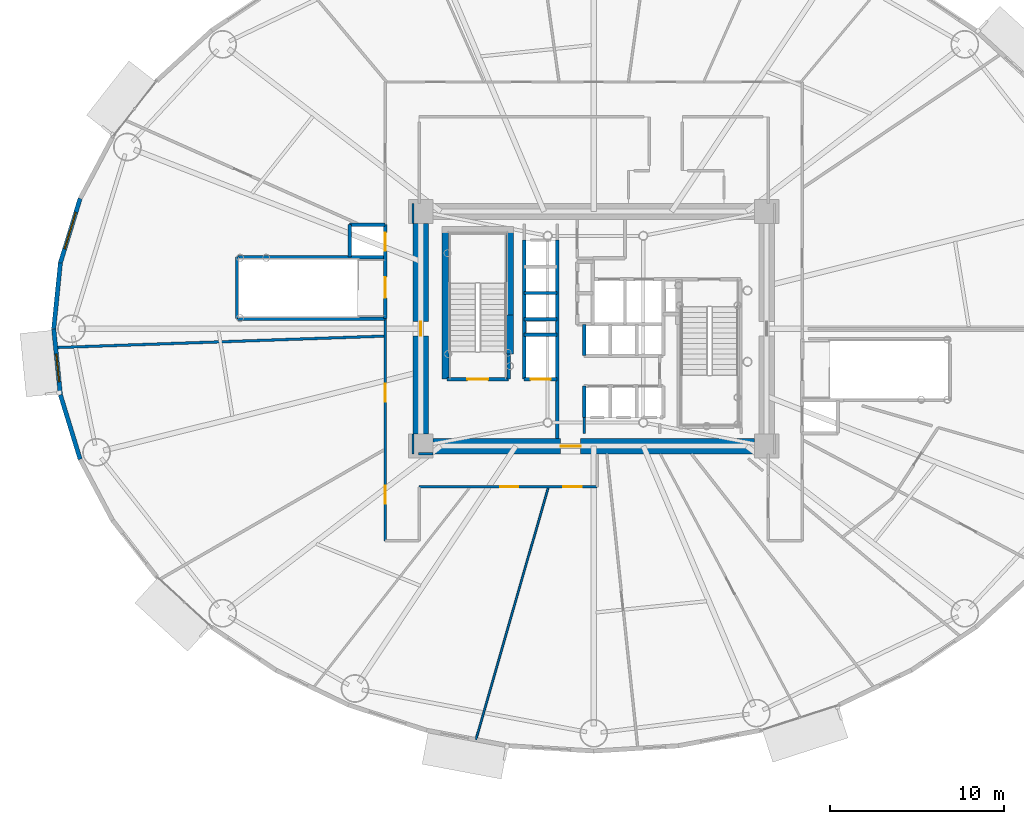
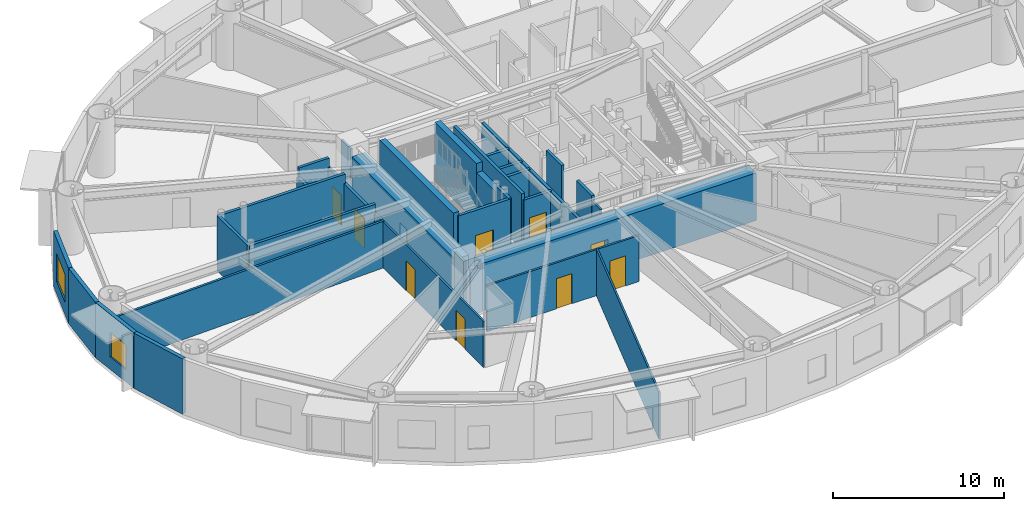
# One storey, part 16 of 28: 33 walls, 10 doors, 2 windows, 12 openings.
"""IFC4 building model written with IfcOpenShell, lengths in metres."""

from ifc_helpers import new_model, si_unit, direction, frame, frame_2d, origin, origin_2d, place, context, subcontext, project, spatial, rectangle, extrude, source, transform, mapped, material, layer, layer_set, type_object, element, fill, save


model = new_model("IFC4")

# Units and contexts
model_context = context("Model", 3, precision=1e-05, world=origin(), true_north=direction((0.0, 1.0)))
body_context = subcontext(model_context, "Body", "Model", "MODEL_VIEW")
ifc_project = project(units=[si_unit("LENGTHUNIT", "METRE"), si_unit("AREAUNIT", "SQUARE_METRE"), si_unit("VOLUMEUNIT", "CUBIC_METRE"), si_unit("PLANEANGLEUNIT", "RADIAN"), si_unit("MASSUNIT", "GRAM", prefix="KILO")], contexts=[model_context])

# Site, building, storey
site_placement = place(None, origin())
site = spatial("IfcSite", under=ifc_project, at=site_placement, CompositionType="ELEMENT")
building_placement = place(site_placement, origin())
building = spatial("IfcBuilding", under=site, at=building_placement, Name="Linh Dai School and Residence Tower", CompositionType="ELEMENT")
storey_placement = place(building_placement, frame((0.0, 0.0, 57.60009765625)))
storey = spatial("IfcBuildingStorey", under=building, at=storey_placement, Name="L13", CompositionType="ELEMENT", Elevation=57.60009765625)

# Wall, opening, window
ifc_material_1 = material(Name="Precast Concrete B45 (C35/45)", Category="concrete")
ifc_layer_1 = layer(ifc_material_1, 0.25)
ifc_layer_set_1 = layer_set([ifc_layer_1], Name="Precast Concrete B45 (C35/45)")
wall_type_1 = type_object("IfcWallType", Name="EW-TC-250", PredefinedType="SOLIDWALL", material=ifc_layer_set_1)
wall_1_placement = place(storey_placement, frame((5.306640625, 30.796875, 0.0), z_axis=(0.0, 0.0, 1.0), x_axis=(0.293111631758, 0.956078224482, 0.0)))
wall_1 = element("IfcWall", 1, at=wall_1_placement, inside=storey, type_object=wall_type_1, Name="L13 Terracotta Exterior Wall 19", PredefinedType="SOLIDWALL", context=body_context, shape_type="SweptSolid", body=[
    extrude(rectangle(XDim=3.874755859375, YDim=0.25, at=frame_2d((1.9375, 0.0))), origin(), (0.0, 0.0, 1.0), 3.949951171875),
])
opening_1_placement = place(wall_1_placement, frame((0.83740234375, 0.0, 0.89990234375)))
opening_1 = element("IfcOpeningElement", 2, at=opening_1_placement, cuts=wall_1, Name="Opening W4", PredefinedType="OPENING", context=body_context, shape_type="SweptSolid", body=[
    extrude(rectangle(XDim=2.199951171875, YDim=2.0, at=origin_2d()), frame((1.10009765625, 0.135009765625, 1.0), z_axis=(0.0, -1.0, 0.0), x_axis=(1.0, 0.0, 0.0)), (0.0, 0.0, 1.0), 0.27001953125),
])
ifc_material_2 = material(Name="Acoustic Laminated Low-E Glazing", Category="glass")
window_type_1 = type_object("IfcWindowType", Name="WN-SCH-2200x2000", PartitioningType="TRIPLE_PANEL_VERTICAL", PredefinedType="WINDOW", material=ifc_material_2)
shared_shape_1 = source(origin(), body_context, "Body", "SweptSolid", [
    extrude(rectangle(XDim=2.199951171875, YDim=2.0, at=origin_2d()), frame((1.10009765625, 0.030029296875, 1.0), z_axis=(0.0, -1.0, 0.0), x_axis=(1.0, 0.0, 0.0)), (0.0, 0.0, 1.0), 0.06005859375),
])
window_1_placement = place(opening_1_placement, origin())
window_1 = element("IfcWindow", 3, at=window_1_placement, inside=storey, type_object=window_type_1, Name="L13 Exterior Window 19.1", OverallHeight=2.0, OverallWidth=2.199951171875, PartitioningType="TRIPLE_PANEL_VERTICAL", PredefinedType="WINDOW", context=body_context, shape_type="MappedRepresentation", body=[
    mapped(shared_shape_1, transform((0.0, 0.0, 0.0), x_axis=(1.0, 0.0, 0.0), y_axis=(0.0, 1.0, 0.0), z_axis=(0.0, 0.0, 1.0), scale=1.0)),
])
fill(opening_1, window_1)

# Wall
wall_2_placement = place(storey_placement, frame((4.925048828125, 27.0, 0.0), z_axis=(0.0, 0.0, 1.0), x_axis=(0.099997795174, 0.994987658698, 0.0)))
element("IfcWall", 4, at=wall_2_placement, inside=storey, type_object=wall_type_1, Name="L13 Terracotta Exterior Wall 20", PredefinedType="SOLIDWALL", context=body_context, shape_type="SweptSolid", body=[
    extrude(rectangle(XDim=3.81591796875, YDim=0.25, at=frame_2d((1.907958984375, 0.0))), origin(), (0.0, 0.0, 1.0), 3.949951171875),
])

# Wall, opening, window
wall_3_placement = place(storey_placement, frame((5.306640625, 23.203125, 0.0), z_axis=(0.0, 0.0, 1.0), x_axis=(-0.099997795174, 0.994987658698, 0.0)))
wall_3 = element("IfcWall", 5, at=wall_3_placement, inside=storey, type_object=wall_type_1, Name="L13 Terracotta Exterior Wall 21", PredefinedType="SOLIDWALL", context=body_context, shape_type="SweptSolid", body=[
    extrude(rectangle(XDim=3.81591796875, YDim=0.25, at=frame_2d((1.907958984375, 0.0))), origin(), (0.0, 0.0, 1.0), 3.949951171875),
])
opening_2_placement = place(wall_3_placement, frame((0.7568359375, 0.0, 0.89990234375)))
opening_2 = element("IfcOpeningElement", 6, at=opening_2_placement, cuts=wall_3, Name="Opening W2", PredefinedType="OPENING", context=body_context, shape_type="SweptSolid", body=[
    extrude(rectangle(XDim=1.60009765625, YDim=1.75, at=origin_2d()), frame((0.800048828125, 0.135009765625, 0.875), z_axis=(0.0, -1.0, 0.0), x_axis=(1.0, 0.0, 0.0)), (0.0, 0.0, 1.0), 0.27001953125),
])
ifc_material_3 = material(Name="Double Low-E Insulated Glazing", Category="glass")
window_type_2 = type_object("IfcWindowType", Name="WN-RES-1600x1750", PartitioningType="DOUBLE_PANEL_VERTICAL", PredefinedType="WINDOW", material=ifc_material_3)
shared_shape_2 = source(origin(), body_context, "Body", "SweptSolid", [
    extrude(rectangle(XDim=1.60009765625, YDim=1.75, at=origin_2d()), frame((0.800048828125, 0.030029296875, 0.875), z_axis=(0.0, -1.0, 0.0), x_axis=(1.0, 0.0, 0.0)), (0.0, 0.0, 1.0), 0.06005859375),
])
window_2_placement = place(opening_2_placement, origin())
window_2 = element("IfcWindow", 7, at=window_2_placement, inside=storey, type_object=window_type_2, Name="L13 Exterior Window 21.1", OverallHeight=1.75, OverallWidth=1.60009765625, PartitioningType="DOUBLE_PANEL_VERTICAL", PredefinedType="WINDOW", context=body_context, shape_type="MappedRepresentation", body=[
    mapped(shared_shape_2, transform((0.0, 0.0, 0.0), x_axis=(1.0, 0.0, 0.0), y_axis=(0.0, 1.0, 0.0), z_axis=(0.0, 0.0, 1.0), scale=1.0)),
])
fill(opening_2, window_2)

# Wall
wall_4_placement = place(storey_placement, frame((6.4423828125, 19.49853515625, 0.0), z_axis=(0.0, 0.0, 1.0), x_axis=(-0.293111631758, 0.956078224482, 0.0)))
element("IfcWall", 8, at=wall_4_placement, inside=storey, type_object=wall_type_1, Name="L13 Terracotta Exterior Wall 22", PredefinedType="SOLIDWALL", context=body_context, shape_type="SweptSolid", body=[
    extrude(rectangle(XDim=3.874755859375, YDim=0.25, at=frame_2d((1.9375, 0.0))), origin(), (0.0, 0.0, 1.0), 3.949951171875),
])

# Wall, openings, doors
ifc_material_4 = material(Name="Autoclaved Aerated Concrete Blockwork", Category="masonry")
ifc_layer_2 = layer(ifc_material_4, 0.135009765625)
ifc_layer_set_2 = layer_set([ifc_layer_2], Name="Autoclaved Aerated Concrete Blockwork")
wall_type_2 = type_object("IfcWallType", Name="IW-CORR-135-EI90", PredefinedType="PARTITIONING", material=ifc_layer_set_2)
wall_5_placement = place(storey_placement, frame((24.0, 14.800048828125, 0.0), z_axis=(0.0, 0.0, 1.0), x_axis=(0.0, 1.0, 0.0)))
wall_5 = element("IfcWall", 9, at=wall_5_placement, inside=storey, type_object=wall_type_2, Name="L13 Interior Partition Wall 011", PredefinedType="PARTITIONING", context=body_context, shape_type="SweptSolid", body=[
    extrude(rectangle(XDim=12.780029296875, YDim=0.135009765625, at=frame_2d((6.39013671875, 0.0))), origin(), (0.0, 0.0, 1.0), 3.284912109375),
])
opening_3_placement = place(wall_5_placement, frame((8.00146484375, 0.0, 0.0)))
opening_3 = element("IfcOpeningElement", 10, at=opening_3_placement, cuts=wall_5, Name="Opening D04", PredefinedType="OPENING", context=body_context, shape_type="SweptSolid", body=[
    extrude(rectangle(XDim=1.050048828125, YDim=2.14990234375, at=origin_2d()), frame((0.52490234375, 0.07763671875, 1.074951171875), z_axis=(0.0, -1.0, 0.0), x_axis=(1.0, 0.0, 0.0)), (0.0, 0.0, 1.0), 0.155029296875),
])
opening_4_placement = place(wall_5_placement, frame((2.130859375, 0.0, 0.0)))
opening_4 = element("IfcOpeningElement", 11, at=opening_4_placement, cuts=wall_5, Name="Opening D04", PredefinedType="OPENING", context=body_context, shape_type="SweptSolid", body=[
    extrude(rectangle(XDim=1.050048828125, YDim=2.14990234375, at=origin_2d()), frame((0.52490234375, 0.07763671875, 1.074951171875), z_axis=(0.0, -1.0, 0.0), x_axis=(1.0, 0.0, 0.0)), (0.0, 0.0, 1.0), 0.155029296875),
])
ifc_material_5 = material(Name="Acoustic Vision-Panel Timber Classroom Door", Category="wood")
door_type_1 = type_object("IfcDoorType", Name="DR-SCH-1050x2150-FD60S", OperationType="NOTDEFINED", PredefinedType="DOOR", material=ifc_material_5)
shared_shape_3 = source(origin(), body_context, "Body", "SweptSolid", [
    extrude(rectangle(XDim=1.050048828125, YDim=2.14990234375, at=origin_2d()), frame((0.52490234375, 0.02490234375, 1.074951171875), z_axis=(0.0, -1.0, 0.0), x_axis=(1.0, 0.0, 0.0)), (0.0, 0.0, 1.0), 0.050048828125),
])
door_1_placement = place(opening_3_placement, origin())
door_1 = element("IfcDoor", 12, at=door_1_placement, inside=storey, type_object=door_type_1, Name="L13 Advanced Biochemistry Lab Door", OperationType="SINGLE_SWING_LEFT", OverallHeight=2.14990234375, OverallWidth=1.050048828125, PredefinedType="DOOR", context=body_context, shape_type="MappedRepresentation", body=[
    mapped(shared_shape_3, transform((0.0, 0.0, 0.0), x_axis=(1.0, 0.0, 0.0), y_axis=(0.0, 1.0, 0.0), z_axis=(0.0, 0.0, 1.0), scale=1.0)),
])
fill(opening_3, door_1)
door_2_placement = place(opening_4_placement, origin())
door_2 = element("IfcDoor", 13, at=door_2_placement, inside=storey, type_object=door_type_1, Name="L13 Upper Sixth Classroom 1 Door", OperationType="SINGLE_SWING_RIGHT", OverallHeight=2.14990234375, OverallWidth=1.050048828125, PredefinedType="DOOR", context=body_context, shape_type="MappedRepresentation", body=[
    mapped(shared_shape_3, transform((0.0, 0.0, 0.0), x_axis=(1.0, 0.0, 0.0), y_axis=(0.0, 1.0, 0.0), z_axis=(0.0, 0.0, 1.0), scale=1.0)),
])
fill(opening_4, door_2)

wall_6_placement = place(storey_placement, frame((25.949951171875, 17.89990234375, 0.0), z_axis=(0.0, 0.0, 1.0), x_axis=(1.0, 0.0, 0.0)))
wall_6 = element("IfcWall", 14, at=wall_6_placement, inside=storey, type_object=wall_type_2, Name="L13 Interior Partition Wall 018", PredefinedType="PARTITIONING", context=body_context, shape_type="SweptSolid", body=[
    extrude(rectangle(XDim=10.25, YDim=0.135009765625, at=frame_2d((5.125, 0.0))), origin(), (0.0, 0.0, 1.0), 3.284912109375),
])
opening_5_placement = place(wall_6_placement, frame((4.66552734375, 0.0, 0.0)))
opening_5 = element("IfcOpeningElement", 15, at=opening_5_placement, cuts=wall_6, Name="Opening D04", PredefinedType="OPENING", context=body_context, shape_type="SweptSolid", body=[
    extrude(rectangle(XDim=1.050048828125, YDim=2.14990234375, at=origin_2d()), frame((0.52490234375, 0.07763671875, 1.074951171875), z_axis=(0.0, -1.0, 0.0), x_axis=(1.0, 0.0, 0.0)), (0.0, 0.0, 1.0), 0.155029296875),
])
opening_6_placement = place(wall_6_placement, frame((8.30029296875, 0.0, 0.0)))
opening_6 = element("IfcOpeningElement", 16, at=opening_6_placement, cuts=wall_6, Name="Opening D04", PredefinedType="OPENING", context=body_context, shape_type="SweptSolid", body=[
    extrude(rectangle(XDim=1.050048828125, YDim=2.14990234375, at=origin_2d()), frame((0.52490234375, 0.07763671875, 1.074951171875), z_axis=(0.0, -1.0, 0.0), x_axis=(1.0, 0.0, 0.0)), (0.0, 0.0, 1.0), 0.155029296875),
])
door_3_placement = place(opening_5_placement, origin())
door_3 = element("IfcDoor", 17, at=door_3_placement, inside=storey, type_object=door_type_1, Name="L13 Upper Sixth Classroom 2 Door", OperationType="SINGLE_SWING_LEFT", OverallHeight=2.14990234375, OverallWidth=1.050048828125, PredefinedType="DOOR", context=body_context, shape_type="MappedRepresentation", body=[
    mapped(shared_shape_3, transform((0.0, 0.0, 0.0), x_axis=(1.0, 0.0, 0.0), y_axis=(0.0, 1.0, 0.0), z_axis=(0.0, 0.0, 1.0), scale=1.0)),
])
fill(opening_5, door_3)
door_4_placement = place(opening_6_placement, origin())
door_4 = element("IfcDoor", 18, at=door_4_placement, inside=storey, type_object=door_type_1, Name="L13 Upper Sixth Classroom 3 Door", OperationType="SINGLE_SWING_RIGHT", OverallHeight=2.14990234375, OverallWidth=1.050048828125, PredefinedType="DOOR", context=body_context, shape_type="MappedRepresentation", body=[
    mapped(shared_shape_3, transform((0.0, 0.0, 0.0), x_axis=(1.0, 0.0, 0.0), y_axis=(0.0, 1.0, 0.0), z_axis=(0.0, 0.0, 1.0), scale=1.0)),
])
fill(opening_6, door_4)

# Walls
wall_7_placement = place(storey_placement, frame((35.449951171875, 21.889892578125, 0.0), z_axis=(0.0, 0.0, 1.0), x_axis=(0.0, -1.0, 0.0)))
element("IfcWall", 19, at=wall_7_placement, inside=storey, type_object=wall_type_2, Name="L13 Interior Partition Wall 085", PredefinedType="PARTITIONING", context=body_context, shape_type="SweptSolid", body=[
    extrude(rectangle(XDim=0.929931640625, YDim=0.135009765625, at=frame_2d((0.46484375, 0.0))), origin(), (0.0, 0.0, 1.0), 3.534912109375),
])
for number, where, z_axis, x_axis, name in (
    (20, (25.60009765625, 34.199951171875, 0.0), (0.0, 0.0, 1.0), (0.0, -1.0, 0.0), "L13 Interior Partition Wall 104"),
    (21, (25.60009765625, 20.93994140625, 0.0), (0.0, 0.0, 1.0), (0.0, -1.0, 0.0), "L13 Interior Partition Wall 105"),
):
    element("IfcWall", number, at=place(storey_placement, frame(where, z_axis=z_axis, x_axis=x_axis)), inside=storey, type_object=wall_type_2, Name=name, PredefinedType="PARTITIONING", context=body_context, shape_type="SweptSolid", body=[
        extrude(rectangle(XDim=1.139892578125, YDim=0.135009765625, at=frame_2d((0.56982421875, 0.0))), origin(), (0.0, 0.0, 1.0), 3.949951171875),
    ])
wall_8_placement = place(storey_placement, frame((25.907470703125, 19.800048828125, 0.0), z_axis=(0.0, 0.0, 1.0), x_axis=(1.0, 0.0, 0.0)))
element("IfcWall", 22, at=wall_8_placement, inside=storey, type_object=wall_type_2, Name="L13 Interior Partition Wall 106", PredefinedType="PARTITIONING", context=body_context, shape_type="SweptSolid", body=[
    extrude(rectangle(XDim=0.83251953125, YDim=0.135009765625, at=frame_2d((0.416259765625, 0.0))), origin(), (0.0, 0.0, 1.0), 3.284912109375),
])
ifc_material_6 = material(Name="Acoustic Operable Timber Panel Partition", Category="wood")
ifc_layer_3 = layer(ifc_material_6, 0.110107421875)
ifc_layer_set_3 = layer_set([ifc_layer_3], Name="Acoustic Operable Timber Panel Partition")
wall_type_3 = type_object("IfcWallType", Name="IW-MOV-110", PredefinedType="MOVABLE", material=ifc_layer_set_3)
wall_9_placement = place(storey_placement, frame((29.218505859375, 3.349853515625, 0.0), z_axis=(0.0, 0.0, 1.0), x_axis=(0.275634900318, 0.961262400038, 0.0)))
element("IfcWall", 23, at=wall_9_placement, inside=storey, type_object=wall_type_3, Name="L13 Interior Partition Wall 020", PredefinedType="MOVABLE", context=body_context, shape_type="SweptSolid", body=[
    extrude(rectangle(XDim=15.136474609375, YDim=0.110107421875, at=frame_2d((7.568359375, 0.0))), origin(), (0.0, 0.0, 1.0), 3.3349609375),
])
ifc_layer_4 = layer(ifc_material_4, 0.14990234375)
ifc_layer_set_4 = layer_set([ifc_layer_4], Name="Autoclaved Aerated Concrete Blockwork")
wall_type_4 = type_object("IfcWallType", Name="IW-SCH-150-EI60", PredefinedType="PARTITIONING", material=ifc_layer_set_4)
wall_10_placement = place(storey_placement, frame((5.02880859375, 25.91845703125, 0.0), z_axis=(0.0, 0.0, 1.0), x_axis=(0.99939062663, 0.034905234611, 0.0)))
element("IfcWall", 24, at=wall_10_placement, inside=storey, type_object=wall_type_4, Name="L13 Interior Partition Wall 001", PredefinedType="PARTITIONING", context=body_context, shape_type="SweptSolid", body=[
    extrude(rectangle(XDim=18.982666015625, YDim=0.14990234375, at=frame_2d((9.4912109375, 0.0))), origin(), (0.0, 0.0, 1.0), 3.3349609375),
])
ifc_material_7 = material(Name="Concrete B45 (C35/45)", Category="concrete")
ifc_layer_5 = layer(ifc_material_7, 0.199951171875)
ifc_layer_set_5 = layer_set([ifc_layer_5], Name="Concrete B45 (C35/45)")
wall_type_5 = type_object("IfcWallType", Name="IW-SHAFT-200-EI120", PredefinedType="PARTITIONING", material=ifc_layer_set_5)
wall_11_placement = place(storey_placement, frame((15.47998046875, 27.580078125, 0.0), z_axis=(0.0, 0.0, 1.0), x_axis=(0.0, 1.0, 0.0)))
element("IfcWall", 25, at=wall_11_placement, inside=storey, type_object=wall_type_5, Name="L13 Interior Partition Wall 004", PredefinedType="PARTITIONING", context=body_context, shape_type="SweptSolid", body=[
    extrude(rectangle(XDim=3.5400390625, YDim=0.199951171875, at=frame_2d((1.77001953125, 0.0))), origin(), (0.0, 0.0, 1.0), 3.949951171875),
])
for number, where, z_axis, x_axis, name in (
    (26, (15.47998046875, 27.580078125, 0.0), (0.0, 0.0, 1.0), (1.0, 0.0, 0.0), "L13 Interior Partition Wall 005"),
    (27, (15.47998046875, 31.1201171875, 0.0), (0.0, 0.0, 1.0), (1.0, 0.0, 0.0), "L13 Interior Partition Wall 006"),
):
    element("IfcWall", number, at=place(storey_placement, frame(where, z_axis=z_axis, x_axis=x_axis)), inside=storey, type_object=wall_type_5, Name=name, PredefinedType="PARTITIONING", context=body_context, shape_type="SweptSolid", body=[
        extrude(rectangle(XDim=8.52001953125, YDim=0.199951171875, at=frame_2d((4.260009765625, 0.0))), origin(), (0.0, 0.0, 1.0), 3.949951171875),
    ])
wall_12_placement = place(storey_placement, frame((21.949951171875, 31.1201171875, 0.0), z_axis=(0.0, 0.0, 1.0), x_axis=(0.0, 1.0, 0.0)))
element("IfcWall", 28, at=wall_12_placement, inside=storey, type_object=wall_type_5, Name="L13 Interior Partition Wall 009", PredefinedType="PARTITIONING", context=body_context, shape_type="SweptSolid", body=[
    extrude(rectangle(XDim=1.8798828125, YDim=0.199951171875, at=frame_2d((0.93994140625, 0.0))), origin(), (0.0, 0.0, 1.0), 3.284912109375),
])
wall_13_placement = place(storey_placement, frame((21.949951171875, 33.0, 0.0), z_axis=(0.0, 0.0, 1.0), x_axis=(1.0, 0.0, 0.0)))
element("IfcWall", 29, at=wall_13_placement, inside=storey, type_object=wall_type_5, Name="L13 Interior Partition Wall 010", PredefinedType="PARTITIONING", context=body_context, shape_type="SweptSolid", body=[
    extrude(rectangle(XDim=2.050048828125, YDim=0.199951171875, at=frame_2d((1.02490234375, 0.0))), origin(), (0.0, 0.0, 1.0), 3.949951171875),
])

# Wall, openings, doors
wall_14_placement = place(storey_placement, frame((24.0, 27.590087890625, 0.0), z_axis=(0.0, 0.0, 1.0), x_axis=(0.0, 1.0, 0.0)))
wall_14 = element("IfcWall", 30, at=wall_14_placement, inside=storey, type_object=wall_type_5, Name="L13 Interior Partition Wall 013", PredefinedType="PARTITIONING", context=body_context, shape_type="SweptSolid", body=[
    extrude(rectangle(XDim=5.409912109375, YDim=0.199951171875, at=frame_2d((2.705078125, 0.0))), origin(), (0.0, 0.0, 1.0), 3.284912109375),
])
opening_7_placement = place(wall_14_placement, frame((1.18505859375, 0.0, 0.0)))
opening_7 = element("IfcOpeningElement", 31, at=opening_7_placement, cuts=wall_14, Name="Opening D01", PredefinedType="OPENING", context=body_context, shape_type="SweptSolid", body=[
    extrude(rectangle(XDim=1.199951171875, YDim=2.14990234375, at=origin_2d()), frame((0.60009765625, 0.10986328125, 1.074951171875), z_axis=(0.0, -1.0, 0.0), x_axis=(1.0, 0.0, 0.0)), (0.0, 0.0, 1.0), 0.219970703125),
])
opening_8_placement = place(wall_14_placement, frame((3.889892578125, 0.0, 0.0)))
opening_8 = element("IfcOpeningElement", 32, at=opening_8_placement, cuts=wall_14, Name="Opening LD-SL1", PredefinedType="OPENING", context=body_context, shape_type="SweptSolid", body=[
    extrude(rectangle(XDim=1.050048828125, YDim=2.14990234375, at=origin_2d()), frame((0.52490234375, 0.10986328125, 1.074951171875), z_axis=(0.0, -1.0, 0.0), x_axis=(1.0, 0.0, 0.0)), (0.0, 0.0, 1.0), 0.219970703125),
])
ifc_material_8 = material(Name="Fire-Rated Steel Door Leaf", Category="steel")
door_type_2 = type_object("IfcDoorType", Name="DR-STAIR-1200x2150-FD90S", OperationType="NOTDEFINED", PredefinedType="DOOR", material=ifc_material_8)
shared_shape_4 = source(origin(), body_context, "Body", "SweptSolid", [
    extrude(rectangle(XDim=1.199951171875, YDim=2.14990234375, at=origin_2d()), frame((0.60009765625, 0.02490234375, 1.074951171875), z_axis=(0.0, -1.0, 0.0), x_axis=(1.0, 0.0, 0.0)), (0.0, 0.0, 1.0), 0.050048828125),
])
door_5_placement = place(opening_7_placement, origin())
door_5 = element("IfcDoor", 33, at=door_5_placement, inside=storey, type_object=door_type_2, Name="L13 Exit Stair STS1 Door", OperationType="SINGLE_SWING_RIGHT", OverallHeight=2.14990234375, OverallWidth=1.199951171875, PredefinedType="DOOR", context=body_context, shape_type="MappedRepresentation", body=[
    mapped(shared_shape_4, transform((0.0, 0.0, 0.0), x_axis=(1.0, 0.0, 0.0), y_axis=(0.0, 1.0, 0.0), z_axis=(0.0, 0.0, 1.0), scale=1.0)),
])
fill(opening_7, door_5)
ifc_material_9 = material(Name="Brushed Stainless Steel Lift Landing Door", Category="steel")
door_type_3 = type_object("IfcDoorType", Name="DR-LD-PASS-1050x2150", OperationType="DOUBLE_DOOR_SLIDING", PredefinedType="USERDEFINED", material=ifc_material_9)
shared_shape_5 = source(origin(), body_context, "Body", "SweptSolid", [
    extrude(rectangle(XDim=1.050048828125, YDim=2.14990234375, at=origin_2d()), frame((0.52490234375, 0.02490234375, 1.074951171875), z_axis=(0.0, -1.0, 0.0), x_axis=(1.0, 0.0, 0.0)), (0.0, 0.0, 1.0), 0.050048828125),
])
door_6_placement = place(opening_8_placement, origin())
door_6 = element("IfcDoor", 34, at=door_6_placement, inside=storey, type_object=door_type_3, Name="L13 Lift SL1 Sliding Landing Door", ObjectType="LANDING DOOR", OperationType="DOUBLE_DOOR_SLIDING", OverallHeight=2.14990234375, OverallWidth=1.050048828125, PredefinedType="USERDEFINED", context=body_context, shape_type="MappedRepresentation", body=[
    mapped(shared_shape_5, transform((0.0, 0.0, 0.0), x_axis=(1.0, 0.0, 0.0), y_axis=(0.0, 1.0, 0.0), z_axis=(0.0, 0.0, 1.0), scale=1.0)),
])
fill(opening_8, door_6)

# Wall, opening, door
wall_15_placement = place(storey_placement, frame((27.56005859375, 24.10009765625, 0.0), z_axis=(0.0, 0.0, 1.0), x_axis=(1.0, 0.0, 0.0)))
wall_15 = element("IfcWall", 35, at=wall_15_placement, inside=storey, type_object=wall_type_5, Name="L13 Interior Partition Wall 019", PredefinedType="PARTITIONING", context=body_context, shape_type="SweptSolid", body=[
    extrude(rectangle(XDim=3.5400390625, YDim=0.199951171875, at=frame_2d((1.77001953125, 0.0))), origin(), (0.0, 0.0, 1.0), 3.949951171875),
])
opening_9_placement = place(wall_15_placement, frame((1.169921875, 0.0, 0.0)))
opening_9 = element("IfcOpeningElement", 36, at=opening_9_placement, cuts=wall_15, Name="Opening D01", PredefinedType="OPENING", context=body_context, shape_type="SweptSolid", body=[
    extrude(rectangle(XDim=1.199951171875, YDim=2.14990234375, at=origin_2d()), frame((0.60009765625, 0.10986328125, 1.074951171875), z_axis=(0.0, -1.0, 0.0), x_axis=(1.0, 0.0, 0.0)), (0.0, 0.0, 1.0), 0.219970703125),
])
door_7_placement = place(opening_9_placement, origin())
door_7 = element("IfcDoor", 37, at=door_7_placement, inside=storey, type_object=door_type_2, Name="L13 Core Smokeproof Exit Stair ST1 Door", OperationType="SINGLE_SWING_RIGHT", OverallHeight=2.14990234375, OverallWidth=1.199951171875, PredefinedType="DOOR", context=body_context, shape_type="MappedRepresentation", body=[
    mapped(shared_shape_4, transform((0.0, 0.0, 0.0), x_axis=(1.0, 0.0, 0.0), y_axis=(0.0, 1.0, 0.0), z_axis=(0.0, 0.0, 1.0), scale=1.0)),
])
fill(opening_9, door_7)

# Walls
wall_16_placement = place(storey_placement, frame((31.10009765625, 24.10009765625, 0.0), z_axis=(0.0, 0.0, 1.0), x_axis=(0.0, 1.0, 0.0)))
element("IfcWall", 38, at=wall_16_placement, inside=storey, type_object=wall_type_5, Name="L13 Interior Partition Wall 021", PredefinedType="PARTITIONING", context=body_context, shape_type="SweptSolid", body=[
    extrude(rectangle(XDim=1.43994140625, YDim=0.199951171875, at=frame_2d((0.719970703125, 0.0))), origin(), (0.0, 0.0, 1.0), 3.949951171875),
])
wall_17_placement = place(storey_placement, frame((32.0, 24.10009765625, 0.0), z_axis=(0.0, 0.0, 1.0), x_axis=(0.0, 1.0, 0.0)))
element("IfcWall", 39, at=wall_17_placement, inside=storey, type_object=wall_type_5, Name="L13 Interior Partition Wall 022", PredefinedType="PARTITIONING", context=body_context, shape_type="SweptSolid", body=[
    extrude(rectangle(XDim=8.0, YDim=0.199951171875, at=frame_2d((4.0, 0.0))), origin(), (0.0, 0.0, 1.0), 3.949951171875),
])

# Wall, opening, door
wall_18_placement = place(storey_placement, frame((32.0, 24.10009765625, 0.0), z_axis=(0.0, 0.0, 1.0), x_axis=(1.0, 0.0, 0.0)))
wall_18 = element("IfcWall", 40, at=wall_18_placement, inside=storey, type_object=wall_type_5, Name="L13 Interior Partition Wall 023", PredefinedType="PARTITIONING", context=body_context, shape_type="SweptSolid", body=[
    extrude(rectangle(XDim=1.89990234375, YDim=0.199951171875, at=frame_2d((0.949951171875, 0.0))), origin(), (0.0, 0.0, 1.0), 3.534912109375),
])
opening_10_placement = place(wall_18_placement, frame((0.375, 0.0, 0.0)))
opening_10 = element("IfcOpeningElement", 41, at=opening_10_placement, cuts=wall_18, Name="Opening LD-FF2", PredefinedType="OPENING", context=body_context, shape_type="SweptSolid", body=[
    extrude(rectangle(XDim=1.14990234375, YDim=2.14990234375, at=origin_2d()), frame((0.574951171875, 0.10986328125, 1.074951171875), z_axis=(0.0, -1.0, 0.0), x_axis=(1.0, 0.0, 0.0)), (0.0, 0.0, 1.0), 0.219970703125),
])
ifc_material_10 = material(Name="Fire-Rated Stainless Steel Firefighting Lift Door", Category="steel")
door_type_4 = type_object("IfcDoorType", Name="DR-LD-FF-1150x2150-FD120", OperationType="DOUBLE_DOOR_SLIDING", PredefinedType="USERDEFINED", material=ifc_material_10)
shared_shape_6 = source(origin(), body_context, "Body", "SweptSolid", [
    extrude(rectangle(XDim=1.14990234375, YDim=2.14990234375, at=origin_2d()), frame((0.574951171875, 0.02490234375, 1.074951171875), z_axis=(0.0, -1.0, 0.0), x_axis=(1.0, 0.0, 0.0)), (0.0, 0.0, 1.0), 0.050048828125),
])
door_8_placement = place(opening_10_placement, origin())
door_8 = element("IfcDoor", 42, at=door_8_placement, inside=storey, type_object=door_type_4, Name="L13 Lift FF2 Sliding Landing Door", ObjectType="LANDING DOOR", OperationType="DOUBLE_DOOR_SLIDING", OverallHeight=2.14990234375, OverallWidth=1.14990234375, PredefinedType="USERDEFINED", context=body_context, shape_type="MappedRepresentation", body=[
    mapped(shared_shape_6, transform((0.0, 0.0, 0.0), x_axis=(1.0, 0.0, 0.0), y_axis=(0.0, 1.0, 0.0), z_axis=(0.0, 0.0, 1.0), scale=1.0)),
])
fill(opening_10, door_8)

# Walls
for number, where, z_axis, x_axis, name in (
    (43, (32.0, 26.64990234375, 0.0), (0.0, 0.0, 1.0), (1.0, 0.0, 0.0), "L13 Interior Partition Wall 024"),
    (44, (32.0, 27.550048828125, 0.0), (0.0, 0.0, 1.0), (1.0, 0.0, 0.0), "L13 Interior Partition Wall 025"),
    (45, (32.0, 29.06005859375, 0.0), (0.0, 0.0, 1.0), (1.0, 0.0, 0.0), "L13 Interior Partition Wall 026"),
):
    element("IfcWall", number, at=place(storey_placement, frame(where, z_axis=z_axis, x_axis=x_axis)), inside=storey, type_object=wall_type_5, Name=name, PredefinedType="PARTITIONING", context=body_context, shape_type="SweptSolid", body=[
        extrude(rectangle(XDim=1.89990234375, YDim=0.199951171875, at=frame_2d((0.949951171875, 0.0))), origin(), (0.0, 0.0, 1.0), 3.534912109375),
    ])
wall_19_placement = place(storey_placement, frame((33.89990234375, 20.699951171875, 0.0), z_axis=(0.0, 0.0, 1.0), x_axis=(0.0, 1.0, 0.0)))
element("IfcWall", 46, at=wall_19_placement, inside=storey, type_object=wall_type_5, Name="L13 Interior Partition Wall 029", PredefinedType="PARTITIONING", context=body_context, shape_type="SweptSolid", body=[
    extrude(rectangle(XDim=11.400146484375, YDim=0.199951171875, at=frame_2d((5.7001953125, 0.0))), origin(), (0.0, 0.0, 1.0), 3.534912109375),
])
for number, where, z_axis, x_axis, name in (
    (47, (35.449951171875, 21.89990234375, 0.0), (0.0, 0.0, 1.0), (0.0, 1.0, 0.0), "L13 Interior Partition Wall 036"),
    (48, (35.449951171875, 25.449951171875, 0.0), (0.0, 0.0, 1.0), (0.0, 1.0, 0.0), "L13 Interior Partition Wall 038"),
):
    element("IfcWall", number, at=place(storey_placement, frame(where, z_axis=z_axis, x_axis=x_axis)), inside=storey, type_object=wall_type_5, Name=name, PredefinedType="PARTITIONING", context=body_context, shape_type="SweptSolid", body=[
        extrude(rectangle(XDim=1.800048828125, YDim=0.199951171875, at=frame_2d((0.89990234375, 0.0))), origin(), (0.0, 0.0, 1.0), 3.949951171875),
    ])
ifc_layer_6 = layer(ifc_material_7, 0.39990234375)
ifc_layer_set_6 = layer_set([ifc_layer_6], Name="Concrete B45 (C35/45)")
wall_type_6 = type_object("IfcWallType", Name="WL-CORE400", PredefinedType="SHEAR", material=ifc_layer_set_6)
wall_20_placement = place(storey_placement, frame((27.47998046875, 24.10009765625, 0.0), z_axis=(0.0, 0.0, 1.0), x_axis=(0.0, 1.0, 0.0)))
element("IfcWall", 49, at=wall_20_placement, inside=storey, type_object=wall_type_6, Name="L13 Core Stair ST1 Bearing Wall W", PredefinedType="SHEAR", context=body_context, shape_type="SweptSolid", body=[
    extrude(rectangle(XDim=8.599853515625, YDim=0.39990234375, at=frame_2d((4.2998046875, 0.0))), origin(), (0.0, 0.0, 1.0), 4.199951171875),
])
wall_21_placement = place(storey_placement, frame((31.179931640625, 27.800048828125, 0.0), z_axis=(0.0, 0.0, 1.0), x_axis=(0.0, 1.0, 0.0)))
element("IfcWall", 50, at=wall_21_placement, inside=storey, type_object=wall_type_6, Name="L13 Core Stair ST1 Bearing Wall E", PredefinedType="SHEAR", context=body_context, shape_type="SweptSolid", body=[
    extrude(rectangle(XDim=4.89990234375, YDim=0.39990234375, at=frame_2d((2.449951171875, 0.0))), origin(), (0.0, 0.0, 1.0), 4.199951171875),
])
wall_22_placement = place(storey_placement, frame((31.179931640625, 25.550048828125, 0.0), z_axis=(0.0, 0.0, 1.0), x_axis=(0.0, 1.0, 0.0)))
element("IfcWall", 51, at=wall_22_placement, inside=storey, type_object=wall_type_6, Name="L13 Internal Core Shear Wall IW", PredefinedType="SHEAR", context=body_context, shape_type="SweptSolid", body=[
    extrude(rectangle(XDim=2.25, YDim=0.39990234375, at=frame_2d((1.125, 0.0))), origin(), (0.0, 0.0, 1.0), 3.5498046875),
])

# Wall, opening, door
ifc_material_11 = material(Name="Concrete B60 (C50/60)", Category="concrete")
ifc_layer_7 = layer(ifc_material_11, 0.89990234375)
ifc_layer_set_7 = layer_set([ifc_layer_7], Name="Concrete B60 (C50/60)")
wall_type_7 = type_object("IfcWallType", Name="WL-CORE900", PredefinedType="SHEAR", material=ifc_layer_set_7)
wall_23_placement = place(storey_placement, frame((45.25, 20.25, 0.0), z_axis=(0.0, 0.0, 1.0), x_axis=(-1.0, 0.0, 0.0)))
wall_23 = element("IfcWall", 52, at=wall_23_placement, inside=storey, type_object=wall_type_7, Name="L13 Central Core Shear Wall S", PredefinedType="SHEAR", context=body_context, shape_type="SweptSolid", body=[
    extrude(rectangle(XDim=18.5, YDim=0.89990234375, at=frame_2d((9.25, 0.0))), origin(), (0.0, 0.0, 1.0), 3.39990234375),
])
opening_11_placement = place(wall_23_placement, frame((10.0, 0.0, 0.0)))
opening_11 = element("IfcOpeningElement", 53, at=opening_11_placement, cuts=wall_23, Name="Opening D02", PredefinedType="OPENING", context=body_context, shape_type="SweptSolid", body=[
    extrude(rectangle(XDim=1.14990234375, YDim=2.14990234375, at=origin_2d()), frame((0.574951171875, 0.4599609375, 1.074951171875), z_axis=(0.0, -1.0, 0.0), x_axis=(1.0, 0.0, 0.0)), (0.0, 0.0, 1.0), 0.919921875),
])
ifc_material_12 = material(Name="Fire-Rated Glazed Steel Lobby Door", Category="steel")
door_type_5 = type_object("IfcDoorType", Name="DR-LOBBY-1150x2150-FD90S", OperationType="NOTDEFINED", PredefinedType="DOOR", material=ifc_material_12)
shared_shape_7 = source(origin(), body_context, "Body", "SweptSolid", [
    extrude(rectangle(XDim=1.14990234375, YDim=2.14990234375, at=origin_2d()), frame((0.574951171875, 0.02490234375, 1.074951171875), z_axis=(0.0, -1.0, 0.0), x_axis=(1.0, 0.0, 0.0)), (0.0, 0.0, 1.0), 0.050048828125),
])
door_9_placement = place(opening_11_placement, origin())
door_9 = element("IfcDoor", 54, at=door_9_placement, inside=storey, type_object=door_type_5, Name="L13 Passenger Foyer Access Door", OperationType="SINGLE_SWING_LEFT", OverallHeight=2.14990234375, OverallWidth=1.14990234375, PredefinedType="DOOR", context=body_context, shape_type="MappedRepresentation", body=[
    mapped(shared_shape_7, transform((0.0, 0.0, 0.0), x_axis=(1.0, 0.0, 0.0), y_axis=(0.0, 1.0, 0.0), z_axis=(0.0, 0.0, 1.0), scale=1.0)),
])
fill(opening_11, door_9)

wall_24_placement = place(storey_placement, frame((26.050048828125, 20.949951171875, 0.0), z_axis=(0.0, 0.0, 1.0), x_axis=(0.0, 1.0, 0.0)))
wall_24 = element("IfcWall", 55, at=wall_24_placement, inside=storey, type_object=wall_type_7, Name="L13 Central Core Shear Wall W", PredefinedType="SHEAR", context=body_context, shape_type="SweptSolid", body=[
    extrude(rectangle(XDim=12.10009765625, YDim=0.89990234375, at=frame_2d((6.050048828125, 0.0))), origin(), (0.0, 0.0, 1.0), 3.39990234375),
])
opening_12_placement = place(wall_24_placement, frame((5.639892578125, 0.0, 0.0)))
opening_12 = element("IfcOpeningElement", 56, at=opening_12_placement, cuts=wall_24, Name="Opening D06", PredefinedType="OPENING", context=body_context, shape_type="SweptSolid", body=[
    extrude(rectangle(XDim=0.820068359375, YDim=2.10009765625, at=origin_2d()), frame((0.41015625, 0.4599609375, 1.050048828125), z_axis=(0.0, -1.0, 0.0), x_axis=(1.0, 0.0, 0.0)), (0.0, 0.0, 1.0), 0.919921875),
])
ifc_material_13 = material(Name="Moisture-Resistant Timber Bathroom Door", Category="wood")
door_type_6 = type_object("IfcDoorType", Name="DR-WET-820x2100", OperationType="NOTDEFINED", PredefinedType="DOOR", material=ifc_material_13)
shared_shape_8 = source(origin(), body_context, "Body", "SweptSolid", [
    extrude(rectangle(XDim=0.820068359375, YDim=2.10009765625, at=origin_2d()), frame((0.41015625, 0.02490234375, 1.050048828125), z_axis=(0.0, -1.0, 0.0), x_axis=(1.0, 0.0, 0.0)), (0.0, 0.0, 1.0), 0.050048828125),
])
door_10_placement = place(opening_12_placement, origin())
door_10 = element("IfcDoor", 57, at=door_10_placement, inside=storey, type_object=door_type_6, Name="L13 Firefighting Lobby Door", OperationType="SINGLE_SWING_LEFT", OverallHeight=2.10009765625, OverallWidth=0.820068359375, PredefinedType="DOOR", context=body_context, shape_type="MappedRepresentation", body=[
    mapped(shared_shape_8, transform((0.0, 0.0, 0.0), x_axis=(1.0, 0.0, 0.0), y_axis=(0.0, 1.0, 0.0), z_axis=(0.0, 0.0, 1.0), scale=1.0)),
])
fill(opening_12, door_10)

save(model, "model.ifc")
